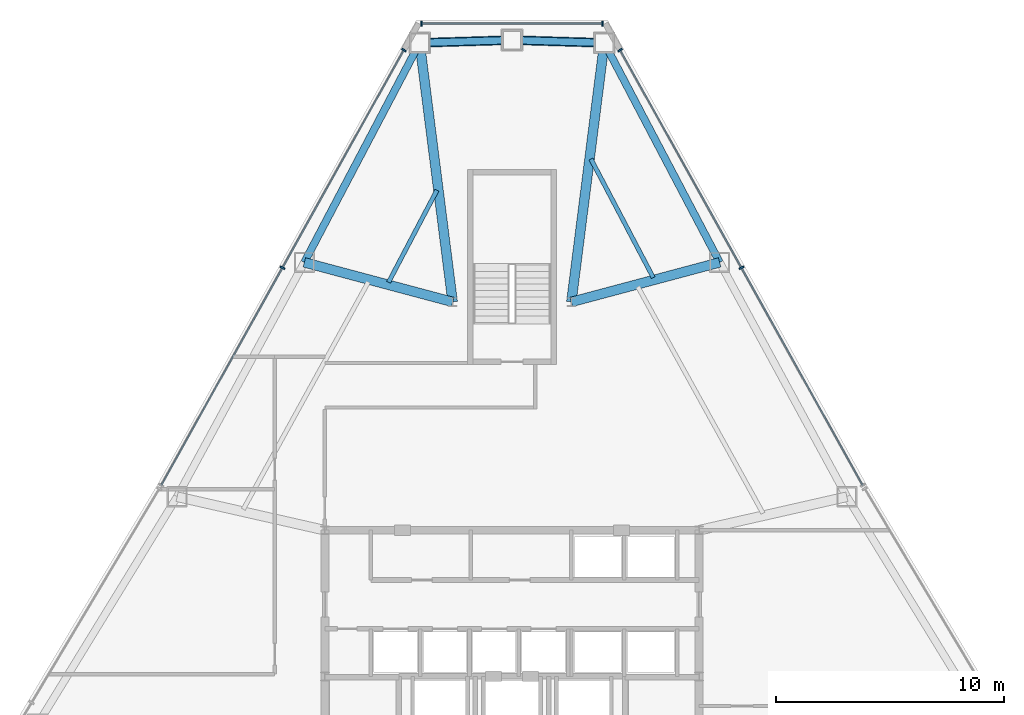
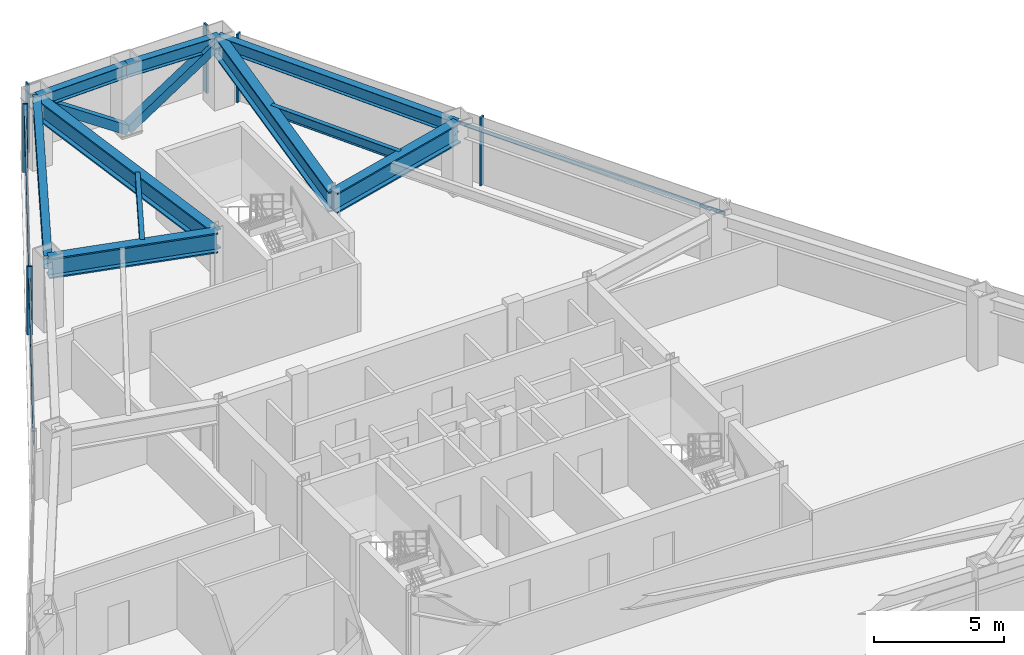
# One storey, part 8 of 13: 11 members, 10 beams, 3 elements without a shape of their own.
"""IFC4 building model written with IfcOpenShell, lengths in metres."""

from ifc_helpers import new_model, si_unit, direction, frame, origin, origin_2d, place, context, subcontext, project, spatial, rectangle, hollow_rectangle, i_section, extrude, source, transform, mapped, material, layer, layer_set, material_profile, profile_set, type_object, type_shapes, element, aggregate, save


model = new_model("IFC4")

# Units and contexts
model_context = context("Model", 3, precision=1e-05, world=origin(), true_north=direction((0.0, 1.0)))
body_context = subcontext(model_context, "Body", "Model", "MODEL_VIEW")
ifc_project = project(units=[si_unit("LENGTHUNIT", "METRE"), si_unit("AREAUNIT", "SQUARE_METRE"), si_unit("VOLUMEUNIT", "CUBIC_METRE"), si_unit("PLANEANGLEUNIT", "RADIAN"), si_unit("MASSUNIT", "GRAM", prefix="KILO")], contexts=[model_context])

# Site, building, storey
site_placement = place(None, origin())
site = spatial("IfcSite", under=ifc_project, at=site_placement, CompositionType="ELEMENT")
building_placement = place(site_placement, origin())
building = spatial("IfcBuilding", under=site, at=building_placement, Name="Varakhsha Concourse Tower", CompositionType="ELEMENT")
storey_placement = place(building_placement, frame((0.0, 0.0, 143.60009765625)))
storey = spatial("IfcBuildingStorey", under=building, at=storey_placement, Name="L41", CompositionType="ELEMENT", Elevation=143.60009765625)

# Beams
ifc_material_1 = material(Name="Structural Steel ASTM A992 Grade 50", Category="steel")
ifc_material_profile_1 = material_profile(ifc_material_1, i_section(OverallWidth=0.19091796875, OverallDepth=0.45703125, WebThickness=0.009033203125, FlangeThickness=0.013916015625, at=origin_2d()), Name="W18X50")
ifc_profile_set_1 = profile_set([ifc_material_profile_1], Name="Structural Steel ASTM A992 Grade 50")
beam_type_1 = type_object("IfcBeamType", Name="BM-JST-W18X50", PredefinedType="JOIST", material=ifc_profile_set_1)
beam_1_placement = place(storey_placement, frame((36.714111328125, 46.095947265625, 2.9814453125), z_axis=(-0.465285106883, -0.885160871996, 0.0), x_axis=(0.885160871996, -0.465285106883, 0.0)))
element("IfcBeam", 1, at=beam_1_placement, inside=storey, type_object=beam_type_1, Name="BM-TJST-L41-03", PredefinedType="JOIST", context=body_context, shape_type="SweptSolid", body=[
    extrude(i_section(OverallWidth=0.19091796875, OverallDepth=0.45703125, WebThickness=0.009033203125, FlangeThickness=0.013916015625, at=origin_2d()), origin(), (0.0, 0.0, 1.0), 4.559326171875),
])
beam_2_placement = place(storey_placement, frame((46.186767578125, 42.268310546875, 2.9814453125), z_axis=(-0.465277815466, 0.885164704694, 0.0), x_axis=(-0.885164704694, -0.465277815466, 0.0)))
element("IfcBeam", 2, at=beam_2_placement, inside=storey, type_object=beam_type_1, Name="BM-TJST-L41-18", PredefinedType="JOIST", context=body_context, shape_type="SweptSolid", body=[
    extrude(i_section(OverallWidth=0.19091796875, OverallDepth=0.45703125, WebThickness=0.009033203125, FlangeThickness=0.013916015625, at=origin_2d()), origin(), (0.0, 0.0, 1.0), 5.86279296875),
])
ifc_material_profile_2 = material_profile(ifc_material_1, i_section(OverallWidth=0.423095703125, OverallDepth=0.947998046875, WebThickness=0.0380859375, FlangeThickness=0.06396484375, at=origin_2d()), Name="W36X302")
ifc_profile_set_2 = profile_set([ifc_material_profile_2], Name="Structural Steel ASTM A992 Grade 50")
beam_type_2 = type_object("IfcBeamType", Name="BM-OUTR-W36X302", PredefinedType="USERDEFINED", material=ifc_profile_set_2)
for number, where, z_axis, x_axis, name in (
    (3, (42.60009765625, 41.199951171875, 2.73583984375), (0.126106887287, 0.992016659628, 0.0), (-0.992016659628, 0.126106887287, 0.0), "L41 Radial Floor Girder 01"),
    (4, (37.39990234375, 41.199951171875, 2.73583984375), (-0.126106887287, 0.992016659628, 0.0), (-0.992016659628, -0.126106887287, 0.0), "L41 Radial Floor Girder 03"),
):
    element("IfcBeam", number, at=place(storey_placement, frame(where, z_axis=z_axis, x_axis=x_axis)), inside=storey, type_object=beam_type_2, Name=name, ObjectType="GIRDER", PredefinedType="USERDEFINED", context=body_context, shape_type="SweptSolid", body=[
        extrude(i_section(OverallWidth=0.423095703125, OverallDepth=0.947998046875, WebThickness=0.0380859375, FlangeThickness=0.06396484375, at=origin_2d()), origin(), (0.0, 0.0, 1.0), 11.439697265625),
    ])
for number, where, z_axis, x_axis, name in (
    (5, (37.39990234375, 41.199951171875, 2.73583984375), (-0.966175851561, 0.25788412875, 0.0), (-0.25788412875, -0.966175851561, 0.0), "L41 Radial Floor Girder 04"),
    (6, (42.60009765625, 41.199951171875, 2.73583984375), (0.966175851561, 0.25788412875, 0.0), (-0.25788412875, 0.966175851561, 0.0), "L41 Radial Floor Girder 18"),
):
    element("IfcBeam", number, at=place(storey_placement, frame(where, z_axis=z_axis, x_axis=x_axis)), inside=storey, type_object=beam_type_2, Name=name, ObjectType="GIRDER", PredefinedType="USERDEFINED", context=body_context, shape_type="SweptSolid", body=[
        extrude(i_section(OverallWidth=0.423095703125, OverallDepth=0.947998046875, WebThickness=0.0380859375, FlangeThickness=0.06396484375, at=origin_2d()), origin(), (0.0, 0.0, 1.0), 6.7236328125),
    ])
ifc_material_profile_3 = material_profile(ifc_material_1, i_section(OverallWidth=0.323974609375, OverallDepth=0.611083984375, WebThickness=0.012939453125, FlangeThickness=0.01904296875, at=origin_2d()), Name="W24X104")
ifc_profile_set_3 = profile_set([ifc_material_profile_3], Name="Structural Steel ASTM A992 Grade 50")
beam_type_3 = type_object("IfcBeamType", Name="BM-SPAN-W24X104", PredefinedType="SPANDREL", material=ifc_profile_set_3)
for number, where, z_axis, x_axis, name in (
    (7, (44.042724609375, 52.54833984375, 2.904296875), (-0.99954625984, 0.030120996658, 0.0), (-0.030120996658, -0.99954625984, 0.0), "BM-SPAN-L41-01"),
    (8, (40.0, 52.670166015625, 2.904296875), (-0.99954625984, -0.030120996658, 0.0), (0.030120996658, -0.99954625984, 0.0), "BM-SPAN-L41-02"),
):
    element("IfcBeam", number, at=place(storey_placement, frame(where, z_axis=z_axis, x_axis=x_axis)), inside=storey, type_object=beam_type_3, Name=name, PredefinedType="SPANDREL", context=body_context, shape_type="SweptSolid", body=[
        extrude(i_section(OverallWidth=0.323974609375, OverallDepth=0.611083984375, WebThickness=0.012939453125, FlangeThickness=0.01904296875, at=origin_2d()), origin(), (0.0, 0.0, 1.0), 4.044677734375),
    ])
for number, where, z_axis, x_axis, name in (
    (9, (35.957275390625, 52.54833984375, 2.904296875), (-0.465256299169, -0.885176014182, 0.0), (0.885176014182, -0.465256299169, 0.0), "BM-SPAN-L41-03"),
    (10, (49.09619140625, 42.933837890625, 2.904296875), (-0.465256299169, 0.885176014182, 0.0), (-0.885176014182, -0.465256299169, 0.0), "BM-SPAN-L41-18"),
):
    element("IfcBeam", number, at=place(storey_placement, frame(where, z_axis=z_axis, x_axis=x_axis)), inside=storey, type_object=beam_type_3, Name=name, PredefinedType="SPANDREL", context=body_context, shape_type="SweptSolid", body=[
        extrude(i_section(OverallWidth=0.323974609375, OverallDepth=0.611083984375, WebThickness=0.012939453125, FlangeThickness=0.01904296875, at=origin_2d()), origin(), (0.0, 0.0, 1.0), 10.861572265625),
    ])

# Members
ifc_material_2 = material(Name="Structural Steel ASTM A500 Grade C", Category="steel")
ifc_material_profile_4 = material_profile(ifc_material_2, hollow_rectangle(XDim=0.39990234375, YDim=0.39990234375, WallThickness=0.01611328125, at=origin_2d()), Name="HSS 400x400x16")
ifc_profile_set_4 = profile_set([ifc_material_profile_4], Name="Structural Steel ASTM A500 Grade C")
member_type_1 = type_object("IfcMemberType", Name="MB-TUBE-HSS400", PredefinedType="BRACE", material=ifc_profile_set_4)
shared_shape_1 = source(origin(), body_context, "Body", "SweptSolid", [
    extrude(hollow_rectangle(XDim=0.39990234375, YDim=0.39990234375, WallThickness=0.01611328125, at=origin_2d()), origin(), (0.0, 0.0, 1.0), 4.91357421875),
])
type_shapes(member_type_1, [shared_shape_1])
for number, where, z_axis, x_axis, name in (
    (11, (40.0, 52.670166015625, 0.119873046875), (0.822773893331, -0.024794019734, 0.567827770577), (0.030120996658, 0.99954625984, 0.0), "L41 Wind-Corner Tube Brace B01"),
    (12, (40.0, 52.670166015625, 0.119873046875), (-0.822773893331, -0.024794019734, 0.567827770577), (0.030120996658, -0.99954625984, 0.0), "L41 Wind-Corner Tube Brace B02"),
):
    element("IfcMember", number, at=place(storey_placement, frame(where, z_axis=z_axis, x_axis=x_axis)), inside=storey, type_object=member_type_1, Name=name, PredefinedType="BRACE", context=body_context, shape_type="MappedRepresentation", body=[
        mapped(shared_shape_1, transform((0.0, 0.0, 0.0), scale=1.0)),
    ])

# Curtain wall, members
ifc_material_3 = material(Name="Anodised Bronze Architectural Aluminium AA 6063-T6", Category="aluminium")
ifc_layer = layer(ifc_material_3, 0.2099609375, Name="CW-SYS-04")
ifc_layer_set = layer_set([ifc_layer], Name="Anodised Bronze Architectural Aluminium AA 6063-T6")
curtain_wall_type = type_object("IfcCurtainWallType", Name="CW-SYS-04", PredefinedType="NOTDEFINED", material=ifc_layer_set)
curtain_wall_1_placement = place(storey_placement, origin())
curtain_wall_1 = element("IfcCurtainWall", 13, at=curtain_wall_1_placement, inside=storey, type_object=curtain_wall_type, Name="L41 Chamfer Curtain Wall F1", PredefinedType="NOTDEFINED")
ifc_material_profile_5 = material_profile(ifc_material_3, rectangle(XDim=0.074951171875, YDim=0.219970703125, at=origin_2d()), Name="CWM-220X75")
ifc_profile_set_5 = profile_set([ifc_material_profile_5], Name="Anodised Bronze Architectural Aluminium AA 6063-T6")
member_type_2 = type_object("IfcMemberType", Name="CWM-220X75", PredefinedType="MULLION", material=ifc_profile_set_5)
shared_shape_2 = source(origin(), body_context, "Body", "SweptSolid", [
    extrude(rectangle(XDim=0.074951171875, YDim=0.219970703125, at=origin_2d()), origin(), (0.0, 0.0, 1.0), 3.2099609375),
])
type_shapes(member_type_2, [shared_shape_2])
member_1_placement = place(storey_placement, frame((36.0341796875, 53.39013671875, 0.0), z_axis=(0.0, 0.0, 1.0), x_axis=(1.0, 0.0, 0.0)))
member_1 = element("IfcMember", 14, at=member_1_placement, type_object=member_type_2, Name="CW-L41-F1 Mullion 00", PredefinedType="MULLION", context=body_context, shape_type="MappedRepresentation", body=[
    mapped(shared_shape_2, transform((0.0, 0.0, 0.0), scale=1.0)),
])
member_2_placement = place(storey_placement, frame((43.9658203125, 53.39013671875, 0.0), z_axis=(0.0, 0.0, 1.0), x_axis=(1.0, 0.0, 0.0)))
member_2 = element("IfcMember", 15, at=member_2_placement, type_object=member_type_2, Name="CW-L41-F1 Mullion 01", PredefinedType="MULLION", context=body_context, shape_type="MappedRepresentation", body=[
    mapped(shared_shape_2, transform((0.0, 0.0, 0.0), scale=1.0)),
])

curtain_wall_2_placement = place(storey_placement, origin())
curtain_wall_2 = element("IfcCurtainWall", 16, at=curtain_wall_2_placement, inside=storey, type_object=curtain_wall_type, Name="L41 Crystal Curtain Wall F2", PredefinedType="NOTDEFINED")
member_3_placement = place(storey_placement, frame((29.94873046875, 42.69921875, 0.0), z_axis=(0.0, 0.0, 1.0), x_axis=(0.48689953646, 0.873457979181, 0.0)))
member_3 = element("IfcMember", 17, at=member_3_placement, type_object=member_type_2, Name="CW-L41-F2 Mullion 01", PredefinedType="MULLION", context=body_context, shape_type="MappedRepresentation", body=[
    mapped(shared_shape_2, transform((0.0, 0.0, 0.0), scale=1.0)),
])
member_4_placement = place(storey_placement, frame((35.2626953125, 52.23193359375, 0.0), z_axis=(0.0, 0.0, 1.0), x_axis=(0.48689953646, 0.873457979181, 0.0)))
member_4 = element("IfcMember", 18, at=member_4_placement, type_object=member_type_2, Name="CW-L41-F2 Mullion 02", PredefinedType="MULLION", context=body_context, shape_type="MappedRepresentation", body=[
    mapped(shared_shape_2, transform((0.0, 0.0, 0.0), scale=1.0)),
])

curtain_wall_3_placement = place(storey_placement, origin())
curtain_wall_3 = element("IfcCurtainWall", 19, at=curtain_wall_3_placement, inside=storey, type_object=curtain_wall_type, Name="L41 Crystal Curtain Wall F9", PredefinedType="NOTDEFINED")
member_5_placement = place(storey_placement, frame((44.7373046875, 52.23193359375, 0.0), z_axis=(0.0, 0.0, 1.0), x_axis=(0.48689953646, -0.873457979181, 0.0)))
member_5 = element("IfcMember", 20, at=member_5_placement, type_object=member_type_2, Name="CW-L41-F9 Mullion 00", PredefinedType="MULLION", context=body_context, shape_type="MappedRepresentation", body=[
    mapped(shared_shape_2, transform((0.0, 0.0, 0.0), scale=1.0)),
])
member_6_placement = place(storey_placement, frame((50.051513671875, 42.69921875, 0.0), z_axis=(0.0, 0.0, 1.0), x_axis=(0.48689953646, -0.873457979181, 0.0)))
member_6 = element("IfcMember", 21, at=member_6_placement, type_object=member_type_2, Name="CW-L41-F9 Mullion 01", PredefinedType="MULLION", context=body_context, shape_type="MappedRepresentation", body=[
    mapped(shared_shape_2, transform((0.0, 0.0, 0.0), scale=1.0)),
])

# Member
ifc_material_profile_6 = material_profile(ifc_material_3, rectangle(XDim=0.06494140625, YDim=0.159912109375, at=origin_2d()), Name="CWT-160X65")
ifc_profile_set_6 = profile_set([ifc_material_profile_6], Name="Anodised Bronze Architectural Aluminium AA 6063-T6")
member_type_3 = type_object("IfcMemberType", Name="CWT-160X65", PredefinedType="USERDEFINED", material=ifc_profile_set_6)
shared_shape_3 = source(origin(), body_context, "Body", "SweptSolid", [
    extrude(rectangle(XDim=0.06494140625, YDim=0.159912109375, at=origin_2d()), origin(), (0.0, 0.0, 1.0), 21.827880859375),
])
member_7_placement = place(storey_placement, frame((24.634765625, 33.166259765625, 2.559814453125), z_axis=(0.486898825719, 0.873458375376, 0.0), x_axis=(-0.873458375376, 0.486898825719, 0.0)))
member_7 = element("IfcMember", 22, at=member_7_placement, type_object=member_type_3, Name="CW-L41-F2 Transom 01", ObjectType="TRANSOM", PredefinedType="USERDEFINED", context=body_context, shape_type="MappedRepresentation", body=[
    mapped(shared_shape_3, transform((0.0, 0.0, 0.0), scale=1.0)),
])

aggregate(curtain_wall_2, [member_3, member_4, member_7])

member_8_placement = place(storey_placement, frame((44.7373046875, 52.23193359375, 2.559814453125), z_axis=(0.486898825719, -0.873458375376, 0.0), x_axis=(0.873458375376, 0.486898825719, 0.0)))
member_8 = element("IfcMember", 23, at=member_8_placement, type_object=member_type_3, Name="CW-L41-F9 Transom 01", ObjectType="TRANSOM", PredefinedType="USERDEFINED", context=body_context, shape_type="MappedRepresentation", body=[
    mapped(shared_shape_3, transform((0.0, 0.0, 0.0), scale=1.0)),
])

aggregate(curtain_wall_3, [member_5, member_6, member_8])

shared_shape_4 = source(origin(), body_context, "Body", "SweptSolid", [
    extrude(rectangle(XDim=0.06494140625, YDim=0.159912109375, at=origin_2d()), origin(), (0.0, 0.0, 1.0), 7.931640625),
])
type_shapes(member_type_3, [shared_shape_3, shared_shape_4])
member_9_placement = place(storey_placement, frame((36.0341796875, 53.39013671875, 2.559814453125), z_axis=(1.0, 0.0, 0.0), x_axis=(0.0, 1.0, 0.0)))
member_9 = element("IfcMember", 24, at=member_9_placement, type_object=member_type_3, Name="CW-L41-F1 Transom 01", ObjectType="TRANSOM", PredefinedType="USERDEFINED", context=body_context, shape_type="MappedRepresentation", body=[
    mapped(shared_shape_4, transform((0.0, 0.0, 0.0), scale=1.0)),
])

aggregate(curtain_wall_1, [member_1, member_2, member_9])

save(model, "model.ifc")
